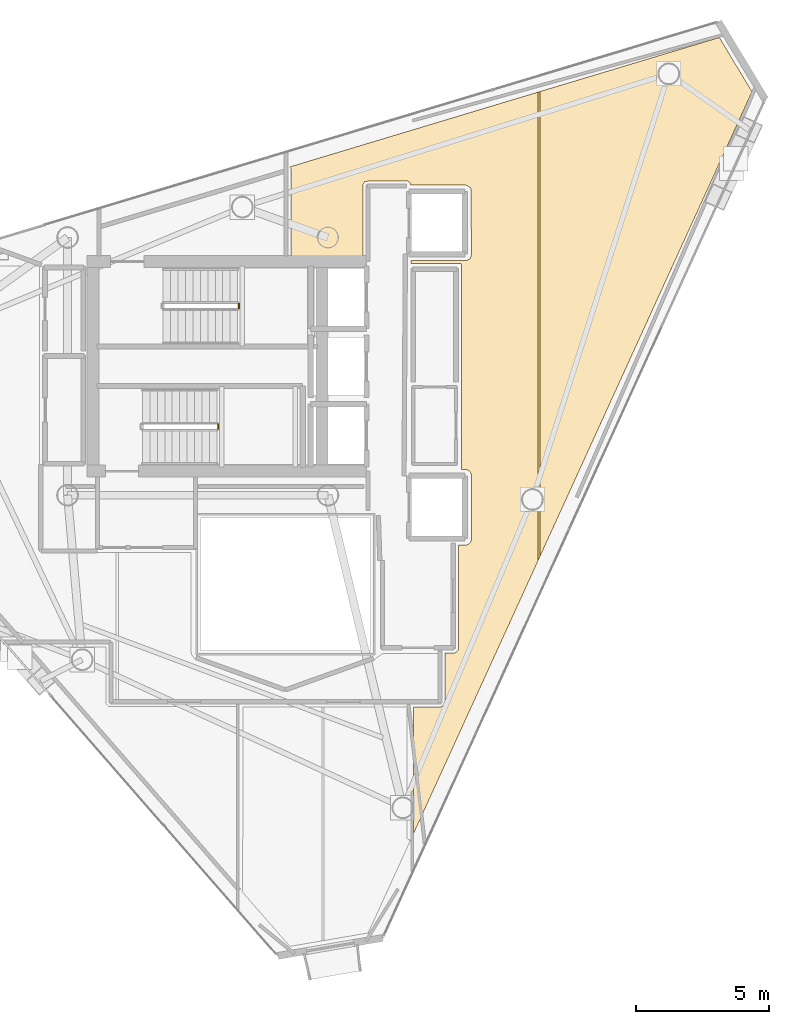
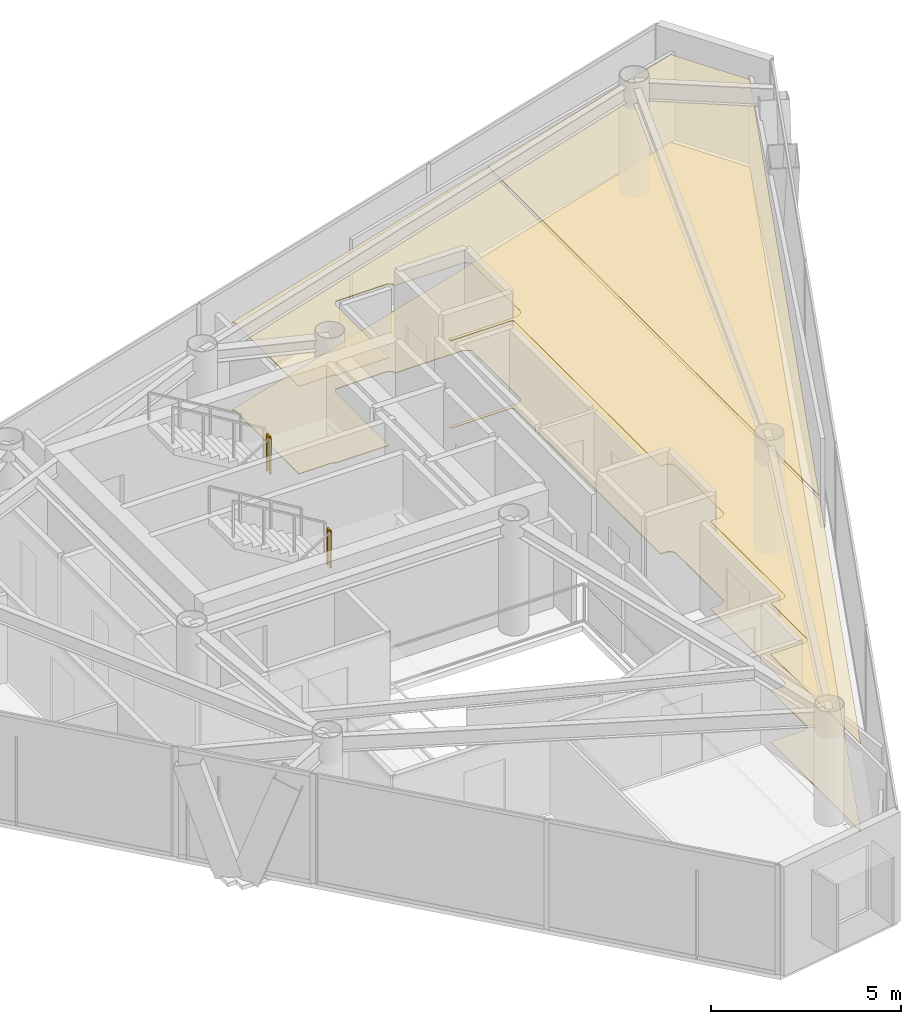
# One storey, part 19 of 19: 3 coverings, 2 railings.
"""IFC4 building model written with IfcOpenShell, lengths in metres."""

import ifcopenshell
import ifcopenshell.guid

model = None  # the IFC model being written
_history = None  # IfcOwnerHistory: only IFC2X3 demands one
_inside = {}  # id of a spatial element -> (the spatial element, [elements in it])
_under = {}  # id of a project, library or spatial element -> (it, [spatial elements below it])
_declared = {}  # id of a project -> (the project, [libraries it declares])
_typed = {}  # id of a type object -> (the type object, [elements of that type])
_made_of = {}  # id of a material, layer set ... -> (it, [elements and type objects made of it])


def new_model(schema):
    """Start an empty IFC model of exactly this schema.

    Asked for "IFC4X3", IfcOpenShell would pick the latest addendum, in which some entities
    have other attributes; the version numbers below select the first issue.
    IFC2X3 requires an IfcOwnerHistory on every rooted entity: one is made here for all.
    """
    global model, _history
    if schema == "IFC4X3":
        model = ifcopenshell.file(schema_version=(4, 3, 0, 0))
    else:
        model = ifcopenshell.file(schema=schema)
    _inside.clear()
    _under.clear()
    _declared.clear()
    _typed.clear()
    _made_of.clear()
    _history = None
    if model.schema == "IFC2X3":
        org = make("IfcOrganization", Name="unknown")
        user = make(
            "IfcPersonAndOrganization",
            ThePerson=make("IfcPerson", FamilyName="unknown"),
            TheOrganization=org,
        )
        app = make(
            "IfcApplication",
            ApplicationDeveloper=org,
            Version="unknown",
            ApplicationFullName="unknown",
            ApplicationIdentifier="unknown",
        )
        _history = make(
            "IfcOwnerHistory",
            OwningUser=user,
            OwningApplication=app,
            ChangeAction="ADDED",
            CreationDate=0,
        )
    return model


def make(cls, **values):
    """One entity of the class cls with the attributes given. An attribute that is None is left unset."""
    return model.create_entity(
        cls, **{name: value for name, value in values.items() if value is not None}
    )


def rooted(cls, **values):
    """An entity with a GlobalId (a new one), such as an element, a storey or a relation."""
    return make(cls, GlobalId=ifcopenshell.guid.new(), OwnerHistory=_history, **values)


def si_unit(unit_type, name, prefix=None):
    """IfcSIUnit, for example si_unit("LENGTHUNIT", "METRE", prefix="MILLI")."""
    return make("IfcSIUnit", UnitType=unit_type, Prefix=prefix, Name=name)


def assignment(units):
    """IfcUnitAssignment: the units of a project."""
    return None if units is None else make("IfcUnitAssignment", Units=units)


def point(xyz):
    """IfcCartesianPoint."""
    return None if xyz is None else make("IfcCartesianPoint", Coordinates=xyz)


def direction(xyz):
    """IfcDirection."""
    return None if xyz is None else make("IfcDirection", DirectionRatios=xyz)


def frame(location, z_axis=None, x_axis=None):
    """IfcAxis2Placement3D, a coordinate frame: its origin and axes. An axis left out is left unset."""
    return make(
        "IfcAxis2Placement3D",
        Location=point(location),
        Axis=direction(z_axis),
        RefDirection=direction(x_axis),
    )


def frame_2d(location, x_axis=None):
    """IfcAxis2Placement2D, a coordinate frame in the plane: its origin and x axis."""
    return make(
        "IfcAxis2Placement2D", Location=point(location), RefDirection=direction(x_axis)
    )


def origin():
    """The frame at (0, 0, 0) with its axes left unset."""
    return frame((0.0, 0.0, 0.0))


def origin_2d():
    """The frame at (0, 0) in the plane with its x axis left unset."""
    return frame_2d((0.0, 0.0))


def place(relative_to, where):
    """IfcLocalPlacement: puts the frame where relative to a parent placement (None: the world)."""
    return make(
        "IfcLocalPlacement", PlacementRelTo=relative_to, RelativePlacement=where
    )


def context(
    kind, dimensions, precision=None, world=None, true_north=None, identifier=None
):
    """IfcGeometricRepresentationContext, for example the 3D "Model" context."""
    return make(
        "IfcGeometricRepresentationContext",
        ContextIdentifier=identifier,
        ContextType=kind,
        CoordinateSpaceDimension=dimensions,
        Precision=precision,
        WorldCoordinateSystem=world,
        TrueNorth=true_north,
    )


def subcontext(parent, identifier, kind, view, scale=None):
    """IfcGeometricRepresentationSubContext, for example "Body" below "Model"."""
    return make(
        "IfcGeometricRepresentationSubContext",
        ContextIdentifier=identifier,
        ContextType=kind,
        ParentContext=parent,
        TargetScale=scale,
        TargetView=view,
    )


def project(units=None, contexts=None):
    """IfcProject with its units and contexts."""
    return rooted(
        "IfcProject",
        Name="project",
        RepresentationContexts=contexts,
        UnitsInContext=assignment(units),
    )


def spatial(cls, under=None, at=None, **own):
    """A site, building, storey or space (cls), placed at a placement, below another one or the project."""
    s = rooted(cls, ObjectPlacement=at, **own)
    if under is not None:
        _under.setdefault(under.id(), (under, []))[1].append(s)
    return s


def polyline(points):
    """IfcPolyline through the points."""
    return make("IfcPolyline", Points=[point(p) for p in points])


def profile(cls, at=None, kind="AREA", **sizes):
    """A parametric profile (cls). Its sizes go by their IFC names, for example OverallWidth=200.0."""
    return make(cls, ProfileType=kind, Position=at, **sizes)


def rectangle(**sizes):
    """IfcRectangleProfileDef."""
    return profile("IfcRectangleProfileDef", **sizes)


def outline(outer, holes=None, kind="AREA"):
    """IfcArbitraryClosedProfileDef: a profile drawn as a closed curve; with holes, ...WithVoids."""
    if holes is None:
        return make("IfcArbitraryClosedProfileDef", ProfileType=kind, OuterCurve=outer)
    return make(
        "IfcArbitraryProfileDefWithVoids",
        ProfileType=kind,
        OuterCurve=outer,
        InnerCurves=holes,
    )


def extrude(swept, where, along, depth):
    """IfcExtrudedAreaSolid: the profile swept, set in the frame where, extruded along a direction by depth."""
    return make(
        "IfcExtrudedAreaSolid",
        SweptArea=swept,
        Position=where,
        ExtrudedDirection=direction(along),
        Depth=depth,
    )


def shape(context_of_items, identifier, shape_type, items):
    """IfcShapeRepresentation: the items that make up one representation, for example the "Body"."""
    return make(
        "IfcShapeRepresentation",
        ContextOfItems=context_of_items,
        RepresentationIdentifier=identifier,
        RepresentationType=shape_type,
        Items=items,
    )


def material(Name=None, Category=None):
    """IfcMaterial."""
    return make("IfcMaterial", Name=Name, Category=Category)


def layer(
    of_material, thickness, ventilated=None, Name=None, Category=None, Priority=None
):
    """IfcMaterialLayer: one layer of a wall or slab, of a material (None: an air gap)."""
    return make(
        "IfcMaterialLayer",
        Material=of_material,
        LayerThickness=thickness,
        IsVentilated=ventilated,
        Name=Name,
        Category=Category,
        Priority=Priority,
    )


def layer_set(layers, Name=None):
    """IfcMaterialLayerSet."""
    return make("IfcMaterialLayerSet", MaterialLayers=layers, LayerSetName=Name)


def made_of(thing, what):
    """Note that an element or type object is made of a material, layer set ...; save() writes the relation."""
    if what is not None:
        _made_of.setdefault(what.id(), (what, []))[1].append(thing)
    return thing


def type_object(cls, material=None, **own):
    """A type object (cls), such as IfcWallType, which elements share."""
    return made_of(rooted(cls, **own), material)


def element(
    cls,
    number,
    at=None,
    inside=None,
    cuts=None,
    type_object=None,
    material=None,
    context=None,
    identifier="Body",
    shape_type=None,
    held_by="IfcProductDefinitionShape",
    body=None,
    shapes=None,
    **own,
):
    """One element of the class cls, such as IfcWall. Its Tag is "e" and its number.

    at: its placement. inside: the storey or other place that contains it. cuts: it is an
    opening in that element (IfcRelVoidsElement). A single representation is given by context,
    identifier, shape_type and body (its items); several are given by shapes. held_by: the class
    of the entity that holds the representations. save() writes the other relations.
    """
    e = rooted(cls, Tag="e%d" % number, ObjectPlacement=at, **own)
    if body is not None:
        shapes = [shape(context, identifier, shape_type, body)]
    if shapes is not None:
        e.Representation = make(held_by, Representations=shapes)
    if inside is not None:
        _inside.setdefault(inside.id(), (inside, []))[1].append(e)
    if cuts is not None:
        rooted(
            "IfcRelVoidsElement", RelatingBuildingElement=cuts, RelatedOpeningElement=e
        )
    if type_object is not None:
        _typed.setdefault(type_object.id(), (type_object, []))[1].append(e)
    return made_of(e, material)


def aggregate(whole, parts):
    """IfcRelAggregates: a whole, such as a stair, and the parts it consists of."""
    return rooted("IfcRelAggregates", RelatingObject=whole, RelatedObjects=parts)


def save(model, path):
    """Write the relations noted so far, then the file.

    IfcRelAggregates (storeys below a building ...), IfcRelContainedInSpatialStructure (elements
    in a storey), IfcRelDefinesByType, IfcRelAssociatesMaterial and IfcRelDeclares: one each for
    every whole, place, type object, material and project.
    """
    for whole, parts in _under.values():
        aggregate(whole, parts)
    for where, things in _inside.values():
        rooted(
            "IfcRelContainedInSpatialStructure",
            RelatedElements=things,
            RelatingStructure=where,
        )
    for kind, things in _typed.values():
        rooted("IfcRelDefinesByType", RelatedObjects=things, RelatingType=kind)
    for what, things in _made_of.values():
        rooted("IfcRelAssociatesMaterial", RelatedObjects=things, RelatingMaterial=what)
    for by, libraries in _declared.values():
        rooted("IfcRelDeclares", RelatingContext=by, RelatedDefinitions=libraries)
    model.write(path)


model = new_model("IFC4")

# Units and contexts
model_context = context("Model", 3, precision=1e-05, world=origin(), true_north=direction((0.0, 1.0)))
body_context = subcontext(model_context, "Body", "Model", "MODEL_VIEW")
ifc_project = project(units=[si_unit("LENGTHUNIT", "METRE"), si_unit("AREAUNIT", "SQUARE_METRE"), si_unit("VOLUMEUNIT", "CUBIC_METRE"), si_unit("PLANEANGLEUNIT", "RADIAN"), si_unit("MASSUNIT", "GRAM", prefix="KILO")], contexts=[model_context])

# Site, building, storey
site_placement = place(None, origin())
site = spatial("IfcSite", under=ifc_project, at=site_placement, CompositionType="ELEMENT")
building_placement = place(site_placement, origin())
building = spatial("IfcBuilding", under=site, at=building_placement, Name="Qianvela Tower", CompositionType="ELEMENT")
storey_placement = place(building_placement, frame((0.0, 0.0, 325.89990234375)))
storey = spatial("IfcBuildingStorey", under=building, at=storey_placement, Name="L84", CompositionType="ELEMENT", Elevation=325.89990234375)

# Coverings
ifc_material_1 = material(Name="Perforated Mineral Acoustic Ceiling Tile")
ifc_layer_1 = layer(ifc_material_1, 0.02490234375)
ifc_layer_set_1 = layer_set([ifc_layer_1], Name="Perforated Mineral Acoustic Ceiling Tile")
covering_type_1 = type_object("IfcCoveringType", Name="COV-CEIL-ACOUSTIC-25", PredefinedType="CEILING", material=ifc_layer_set_1)
covering_1_placement = place(storey_placement, frame((0.0, 0.0, 2.815185546875)))
element("IfcCovering", 1, at=covering_1_placement, inside=storey, type_object=covering_type_1, Name="L84 Acoustic Ceiling Bay 1 Print Copy Kiosk L84-04", PredefinedType="CEILING", context=body_context, shape_type="SweptSolid", body=[
    extrude(outline(polyline([(46.302001953125, 39.02001953125), (46.302001953125, 21.37646484375), (41.6220703125, 11.119873046875), (41.6220703125, 15.889892578125), (42.64990234375, 15.889892578125), (42.6572265625, 15.890380859375), (42.66455078125, 15.891357421875), (42.671630859375, 15.89306640625), (42.678466796875, 15.895263671875), (42.685302734375, 15.898193359375), (42.691650390625, 15.901611328125), (42.69775390625, 15.90576171875), (42.774169921875, 15.96240234375), (42.780517578125, 15.9677734375), (42.786376953125, 15.9736328125), (42.79150390625, 15.980224609375), (42.7958984375, 15.987060546875), (42.7998046875, 15.994384765625), (42.802734375, 16.002197265625), (42.8046875, 16.01025390625), (42.80615234375, 16.0185546875), (42.806640625, 16.026611328125), (42.807373046875, 17.920166015625), (43.157958984375, 17.92041015625), (43.165771484375, 17.9208984375), (43.173583984375, 17.921875), (43.18115234375, 17.923828125), (43.1884765625, 17.926513671875), (43.195556640625, 17.9296875), (43.202392578125, 17.933837890625), (43.20849609375, 17.938720703125), (43.21435546875, 17.94384765625), (43.2861328125, 18.015625), (43.29150390625, 18.021484375), (43.296142578125, 18.027587890625), (43.30029296875, 18.034423828125), (43.303466796875, 18.04150390625), (43.30615234375, 18.048828125), (43.30810546875, 18.056640625), (43.30908203125, 18.064208984375), (43.3095703125, 18.072265625), (43.309326171875, 21.981201171875), (43.621826171875, 21.986083984375), (43.62939453125, 21.986572265625), (43.63720703125, 21.98779296875), (43.64453125, 21.98974609375), (43.651611328125, 21.9921875), (43.658447265625, 21.99560546875), (43.6650390625, 21.99951171875), (43.732666015625, 22.044677734375), (43.739013671875, 22.04931640625), (43.744873046875, 22.0546875), (43.75, 22.060302734375), (43.754638671875, 22.066650390625), (43.7587890625, 22.073486328125), (43.76220703125, 22.08056640625), (43.793212890625, 22.15576171875), (43.7958984375, 22.1630859375), (43.7978515625, 22.170654296875), (43.798828125, 22.178466796875), (43.79931640625, 22.186279296875), (43.800048828125, 24.60009765625), (43.7998046875, 24.606689453125), (43.798828125, 24.61376953125), (43.79736328125, 24.620361328125), (43.79541015625, 24.626953125), (43.763427734375, 24.7158203125), (43.76025390625, 24.723388671875), (43.75634765625, 24.73095703125), (43.75146484375, 24.73779296875), (43.74609375, 24.744140625), (43.73974609375, 24.75), (43.733154296875, 24.7548828125), (43.725830078125, 24.759521484375), (43.63134765625, 24.809814453125), (43.624267578125, 24.813232421875), (43.616943359375, 24.81591796875), (43.609375, 24.81787109375), (43.6015625, 24.81884765625), (43.59375, 24.8193359375), (43.423828125, 24.8193359375), (43.423828125, 24.8193359375), (43.426513671875, 24.826904296875), (43.428466796875, 24.83447265625), (43.4296875, 24.84228515625), (43.429931640625, 24.85009765625), (43.429931640625, 32.5), (43.4296875, 32.5078125), (43.428466796875, 32.515625), (43.426513671875, 32.523193359375), (43.423828125, 32.530517578125), (43.420654296875, 32.53759765625), (43.41650390625, 32.54443359375), (43.411865234375, 32.55078125), (43.406494140625, 32.556640625), (43.40087890625, 32.561767578125), (43.394287109375, 32.56640625), (43.3876953125, 32.570556640625), (43.380615234375, 32.573974609375), (43.373291015625, 32.57666015625), (43.365478515625, 32.57861328125), (43.35791015625, 32.57958984375), (43.35009765625, 32.580078125), (41.52001953125, 32.580078125), (41.52001953125, 32.679931640625), (43.580078125, 32.679931640625), (43.587158203125, 32.680419921875), (43.593994140625, 32.68115234375), (43.60107421875, 32.682861328125), (43.607666015625, 32.684814453125), (43.6142578125, 32.687744140625), (43.722412109375, 32.739013671875), (43.729248046875, 32.74267578125), (43.73583984375, 32.746826171875), (43.741943359375, 32.751953125), (43.74755859375, 32.757568359375), (43.75244140625, 32.763427734375), (43.7568359375, 32.77001953125), (43.760498046875, 32.777099609375), (43.763427734375, 32.7841796875), (43.79541015625, 32.873046875), (43.79736328125, 32.879638671875), (43.798828125, 32.88671875), (43.7998046875, 32.8935546875), (43.800048828125, 32.900390625), (43.783447265625, 35.366455078125), (43.782958984375, 35.374755859375), (43.78173828125, 35.3828125), (43.779541015625, 35.390625), (43.776611328125, 35.398193359375), (43.77294921875, 35.40576171875), (43.7685546875, 35.41259765625), (43.763427734375, 35.4189453125), (43.7578125, 35.4248046875), (43.75146484375, 35.429931640625), (43.74462890625, 35.4345703125), (43.62109375, 35.508544921875), (43.61474609375, 35.511962890625), (43.608154296875, 35.514892578125), (43.601318359375, 35.51708984375), (43.59423828125, 35.518798828125), (43.587158203125, 35.519775390625), (43.580078125, 35.52001953125), (41.515625, 35.52001953125), (41.513916015625, 35.554931640625), (41.512939453125, 35.562744140625), (41.511474609375, 35.5703125), (41.509033203125, 35.577880859375), (41.506103515625, 35.585205078125), (41.50244140625, 35.591796875), (41.498046875, 35.598388671875), (41.4931640625, 35.6044921875), (41.487548828125, 35.60986328125), (41.481689453125, 35.614990234375), (41.41552734375, 35.663818359375), (41.409423828125, 35.66796875), (41.40283203125, 35.67138671875), (41.39599609375, 35.674560546875), (41.38916015625, 35.6767578125), (41.3818359375, 35.678466796875), (41.37451171875, 35.67919921875), (41.3671875, 35.6796875), (39.8349609375, 35.66650390625), (39.8271484375, 35.666015625), (39.8193359375, 35.664794921875), (39.81201171875, 35.662841796875), (39.804443359375, 35.660400390625), (39.797607421875, 35.656982421875), (39.791015625, 35.65283203125), (39.78466796875, 35.648193359375), (39.77880859375, 35.64306640625), (39.773681640625, 35.63720703125), (39.76904296875, 35.630859375), (39.764892578125, 35.624267578125), (39.7294921875, 35.5576171875), (39.72607421875, 35.550537109375), (39.723388671875, 35.543212890625), (39.721435546875, 35.53564453125), (39.720458984375, 35.52783203125), (39.719970703125, 35.52001953125), (39.719970703125, 32.719970703125), (38.125, 32.719970703125), (38.03369140625, 32.762451171875), (38.025634765625, 32.765625), (38.017333984375, 32.76806640625), (38.0087890625, 32.76953125), (38.0, 32.77001953125), (37.010009765625, 32.77001953125), (37.010009765625, 36.104248046875), (37.009521484375, 36.11279296875), (37.00830078125, 36.12109375), (37.006103515625, 36.12939453125), (37.0029296875, 36.13720703125), (36.9990234375, 36.144775390625), (36.994384765625, 36.15185546875), (36.955810546875, 36.2041015625), (46.302001953125, 39.02001953125)])), origin(), (0.0, 0.0, 1.0), 0.02490234375),
])
covering_2_placement = place(storey_placement, frame((0.0, 0.0, 2.815185546875)))
element("IfcCovering", 2, at=covering_2_placement, inside=storey, type_object=covering_type_1, Name="L84 Acoustic Ceiling Bay 2 Print Copy Kiosk L84-04", PredefinedType="CEILING", context=body_context, shape_type="SweptSolid", body=[
    extrude(outline(polyline([(53.129150390625, 41.076904296875), (54.360107421875, 39.035888671875), (46.382080078125, 21.552001953125), (46.382080078125, 39.044189453125), (53.129150390625, 41.076904296875)])), origin(), (0.0, 0.0, 1.0), 0.02490234375),
])
ifc_material_2 = material(Name="Engineered Acoustic Oak Timber Flooring", Category="wood")
ifc_layer_2 = layer(ifc_material_2, 0.02001953125)
ifc_layer_set_2 = layer_set([ifc_layer_2], Name="Engineered Acoustic Oak Timber Flooring")
covering_type_2 = type_object("IfcCoveringType", Name="COV-FLOOR-OAK-20", PredefinedType="FLOORING", material=ifc_layer_set_2)
covering_3_placement = place(storey_placement, origin())
element("IfcCovering", 3, at=covering_3_placement, inside=storey, type_object=covering_type_2, Name="L84 Finish Flooring Print Copy Kiosk L84-04", PredefinedType="FLOORING", context=body_context, shape_type="SweptSolid", body=[
    extrude(outline(polyline([(36.955810546875, 36.2041015625), (53.129150390625, 41.076904296875), (54.360107421875, 39.035888671875), (41.6220703125, 11.119873046875), (41.6220703125, 15.889892578125), (42.64990234375, 15.889892578125), (42.6572265625, 15.890380859375), (42.66455078125, 15.891357421875), (42.671630859375, 15.89306640625), (42.678466796875, 15.895263671875), (42.685302734375, 15.898193359375), (42.691650390625, 15.901611328125), (42.69775390625, 15.90576171875), (42.774169921875, 15.96240234375), (42.780517578125, 15.9677734375), (42.786376953125, 15.9736328125), (42.79150390625, 15.980224609375), (42.7958984375, 15.987060546875), (42.7998046875, 15.994384765625), (42.802734375, 16.002197265625), (42.8046875, 16.01025390625), (42.80615234375, 16.0185546875), (42.806640625, 16.026611328125), (42.807373046875, 17.920166015625), (43.157958984375, 17.92041015625), (43.165771484375, 17.9208984375), (43.173583984375, 17.921875), (43.18115234375, 17.923828125), (43.1884765625, 17.926513671875), (43.195556640625, 17.9296875), (43.202392578125, 17.933837890625), (43.20849609375, 17.938720703125), (43.21435546875, 17.94384765625), (43.2861328125, 18.015625), (43.29150390625, 18.021484375), (43.296142578125, 18.027587890625), (43.30029296875, 18.034423828125), (43.303466796875, 18.04150390625), (43.30615234375, 18.048828125), (43.30810546875, 18.056640625), (43.30908203125, 18.064208984375), (43.3095703125, 18.072265625), (43.309326171875, 21.981201171875), (43.621826171875, 21.986083984375), (43.62939453125, 21.986572265625), (43.63720703125, 21.98779296875), (43.64453125, 21.98974609375), (43.651611328125, 21.9921875), (43.658447265625, 21.99560546875), (43.6650390625, 21.99951171875), (43.732666015625, 22.044677734375), (43.739013671875, 22.04931640625), (43.744873046875, 22.0546875), (43.75, 22.060302734375), (43.754638671875, 22.066650390625), (43.7587890625, 22.073486328125), (43.76220703125, 22.08056640625), (43.793212890625, 22.15576171875), (43.7958984375, 22.1630859375), (43.7978515625, 22.170654296875), (43.798828125, 22.178466796875), (43.79931640625, 22.186279296875), (43.800048828125, 24.60009765625), (43.7998046875, 24.606689453125), (43.798828125, 24.61376953125), (43.79736328125, 24.620361328125), (43.79541015625, 24.626953125), (43.763427734375, 24.7158203125), (43.76025390625, 24.723388671875), (43.75634765625, 24.73095703125), (43.75146484375, 24.73779296875), (43.74609375, 24.744140625), (43.73974609375, 24.75), (43.733154296875, 24.7548828125), (43.725830078125, 24.759521484375), (43.63134765625, 24.809814453125), (43.624267578125, 24.813232421875), (43.616943359375, 24.81591796875), (43.609375, 24.81787109375), (43.6015625, 24.81884765625), (43.59375, 24.8193359375), (43.423828125, 24.8193359375), (43.423828125, 24.8193359375), (43.426513671875, 24.826904296875), (43.428466796875, 24.83447265625), (43.4296875, 24.84228515625), (43.429931640625, 24.85009765625), (43.429931640625, 32.5), (43.4296875, 32.5078125), (43.428466796875, 32.515625), (43.426513671875, 32.523193359375), (43.423828125, 32.530517578125), (43.420654296875, 32.53759765625), (43.41650390625, 32.54443359375), (43.411865234375, 32.55078125), (43.406494140625, 32.556640625), (43.40087890625, 32.561767578125), (43.394287109375, 32.56640625), (43.3876953125, 32.570556640625), (43.380615234375, 32.573974609375), (43.373291015625, 32.57666015625), (43.365478515625, 32.57861328125), (43.35791015625, 32.57958984375), (43.35009765625, 32.580078125), (41.52001953125, 32.580078125), (41.52001953125, 32.679931640625), (43.580078125, 32.679931640625), (43.587158203125, 32.680419921875), (43.593994140625, 32.68115234375), (43.60107421875, 32.682861328125), (43.607666015625, 32.684814453125), (43.6142578125, 32.687744140625), (43.722412109375, 32.739013671875), (43.729248046875, 32.74267578125), (43.73583984375, 32.746826171875), (43.741943359375, 32.751953125), (43.74755859375, 32.757568359375), (43.75244140625, 32.763427734375), (43.7568359375, 32.77001953125), (43.760498046875, 32.777099609375), (43.763427734375, 32.7841796875), (43.79541015625, 32.873046875), (43.79736328125, 32.879638671875), (43.798828125, 32.88671875), (43.7998046875, 32.8935546875), (43.800048828125, 32.900390625), (43.783447265625, 35.366455078125), (43.782958984375, 35.374755859375), (43.78173828125, 35.3828125), (43.779541015625, 35.390625), (43.776611328125, 35.398193359375), (43.77294921875, 35.40576171875), (43.7685546875, 35.41259765625), (43.763427734375, 35.4189453125), (43.7578125, 35.4248046875), (43.75146484375, 35.429931640625), (43.74462890625, 35.4345703125), (43.62109375, 35.508544921875), (43.61474609375, 35.511962890625), (43.608154296875, 35.514892578125), (43.601318359375, 35.51708984375), (43.59423828125, 35.518798828125), (43.587158203125, 35.519775390625), (43.580078125, 35.52001953125), (41.515625, 35.52001953125), (41.513916015625, 35.554931640625), (41.512939453125, 35.562744140625), (41.511474609375, 35.5703125), (41.509033203125, 35.577880859375), (41.506103515625, 35.585205078125), (41.50244140625, 35.591796875), (41.498046875, 35.598388671875), (41.4931640625, 35.6044921875), (41.487548828125, 35.60986328125), (41.481689453125, 35.614990234375), (41.41552734375, 35.663818359375), (41.409423828125, 35.66796875), (41.40283203125, 35.67138671875), (41.39599609375, 35.674560546875), (41.38916015625, 35.6767578125), (41.3818359375, 35.678466796875), (41.37451171875, 35.67919921875), (41.3671875, 35.6796875), (39.8349609375, 35.66650390625), (39.8271484375, 35.666015625), (39.8193359375, 35.664794921875), (39.81201171875, 35.662841796875), (39.804443359375, 35.660400390625), (39.797607421875, 35.656982421875), (39.791015625, 35.65283203125), (39.78466796875, 35.648193359375), (39.77880859375, 35.64306640625), (39.773681640625, 35.63720703125), (39.76904296875, 35.630859375), (39.764892578125, 35.624267578125), (39.7294921875, 35.5576171875), (39.72607421875, 35.550537109375), (39.723388671875, 35.543212890625), (39.721435546875, 35.53564453125), (39.720458984375, 35.52783203125), (39.719970703125, 35.52001953125), (39.719970703125, 32.719970703125), (38.125, 32.719970703125), (38.03369140625, 32.762451171875), (38.025634765625, 32.765625), (38.017333984375, 32.76806640625), (38.0087890625, 32.76953125), (38.0, 32.77001953125), (37.010009765625, 32.77001953125), (37.010009765625, 36.104248046875), (37.009521484375, 36.11279296875), (37.00830078125, 36.12109375), (37.006103515625, 36.12939453125), (37.0029296875, 36.13720703125), (36.9990234375, 36.144775390625), (36.994384765625, 36.15185546875), (36.955810546875, 36.2041015625)])), origin(), (0.0, 0.0, 1.0), 0.02001953125),
])

# Railings
ifc_material_3 = material(Name="Painted Tubular Steel Q355B", Category="steel")
railing_type = type_object("IfcRailingType", Name="RL-STAIR-GUARD-1200", PredefinedType="GUARDRAIL", material=ifc_material_3)
railing_1_placement = place(storey_placement, frame((35.050048828125, 30.889892578125, 1.85009765625)))
element("IfcRailing", 4, at=railing_1_placement, inside=storey, type_object=railing_type, Name="L84 ST-1 stair guard 2", PredefinedType="GUARDRAIL", context=body_context, shape_type="SweptSolid", body=[
    extrude(rectangle(XDim=0.050048828125, YDim=0.0400390625, at=origin_2d()), frame((0.0, 0.0, 1.179931640625), z_axis=(0.0, 1.0, 0.0), x_axis=(-1.0, 0.0, 0.0)), (0.0, 0.0, 1.0), 0.16015625),
    extrude(rectangle(XDim=0.050048828125, YDim=0.050048828125, at=origin_2d()), origin(), (0.0, 0.0, 1.0), 1.159912109375),
    extrude(rectangle(XDim=0.050048828125, YDim=0.050048828125, at=origin_2d()), frame((0.0, 0.16015625, 0.0)), (0.0, 0.0, 1.0), 1.159912109375),
])
railing_2_placement = place(storey_placement, frame((34.27001953125, 26.35009765625, 1.85009765625)))
element("IfcRailing", 5, at=railing_2_placement, inside=storey, type_object=railing_type, Name="L84 ST-2 stair guard 2", PredefinedType="GUARDRAIL", context=body_context, shape_type="SweptSolid", body=[
    extrude(rectangle(XDim=0.050048828125, YDim=0.0400390625, at=origin_2d()), frame((0.0, 0.0, 1.179931640625), z_axis=(0.0, 1.0, 0.0), x_axis=(-1.0, 0.0, 0.0)), (0.0, 0.0, 1.0), 0.159912109375),
    extrude(rectangle(XDim=0.050048828125, YDim=0.050048828125, at=origin_2d()), origin(), (0.0, 0.0, 1.0), 1.159912109375),
    extrude(rectangle(XDim=0.050048828125, YDim=0.050048828125, at=origin_2d()), frame((0.0, 0.159912109375, 0.0)), (0.0, 0.0, 1.0), 1.159912109375),
])

save(model, "model.ifc")
